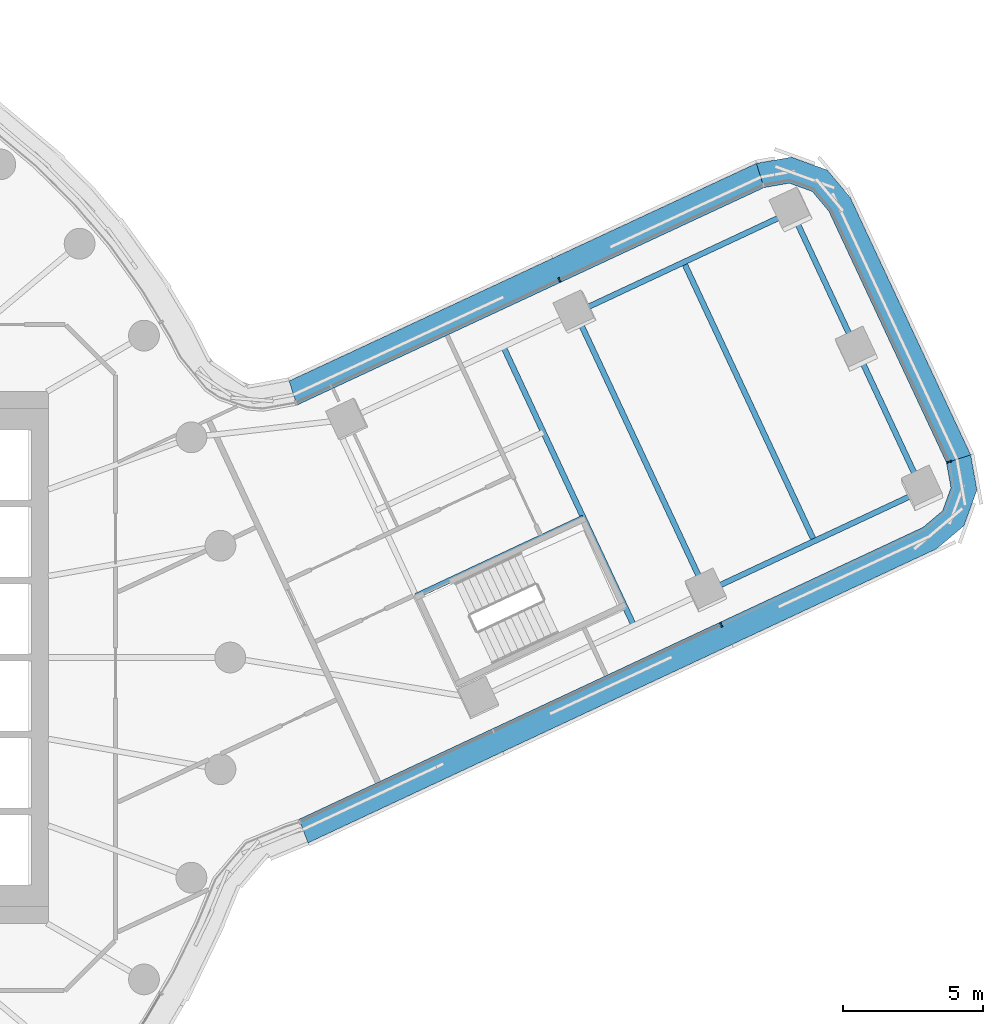
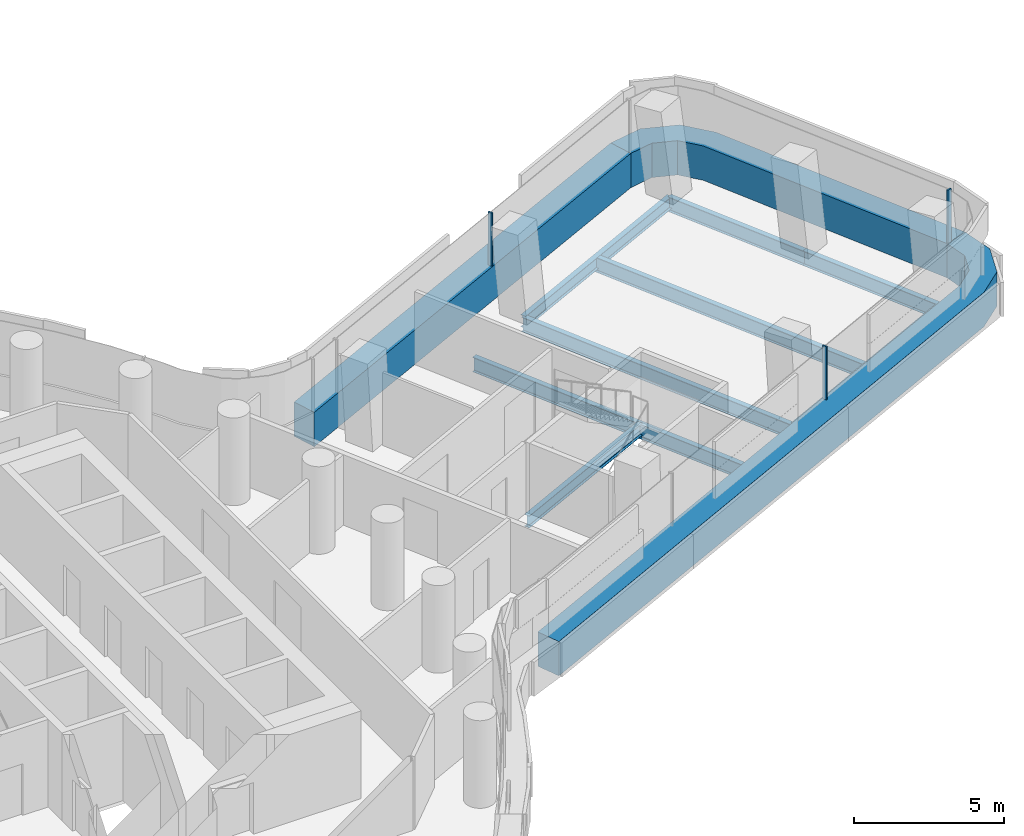
# One storey, part 13 of 36: 8 beams, 6 members, 3 elements without a shape of their own.
"""IFC4 building model written with IfcOpenShell, lengths in metres."""

from ifc_helpers import new_model, si_unit, direction, frame, origin, origin_2d, place, context, subcontext, project, spatial, polyline, rectangle, i_section, outline, extrude, material, layer, layer_set, material_profile, profile_set, type_object, element, aggregate, save


model = new_model("IFC4")

# Units and contexts
model_context = context("Model", 3, precision=1e-05, world=origin(), true_north=direction((0.0, 1.0)))
body_context = subcontext(model_context, "Body", "Model", "MODEL_VIEW")
ifc_project = project(units=[si_unit("LENGTHUNIT", "METRE"), si_unit("AREAUNIT", "SQUARE_METRE"), si_unit("VOLUMEUNIT", "CUBIC_METRE"), si_unit("PLANEANGLEUNIT", "RADIAN"), si_unit("MASSUNIT", "GRAM", prefix="KILO")], contexts=[model_context])

# Site, building, storey
site_placement = place(None, origin())
site = spatial("IfcSite", under=ifc_project, at=site_placement, CompositionType="ELEMENT")
building_placement = place(site_placement, origin())
building = spatial("IfcBuilding", under=site, at=building_placement, Name="Tamarind Cross Interchange Tower", CompositionType="ELEMENT")
storey_placement = place(building_placement, frame((0.0, 0.0, 124.75)))
storey = spatial("IfcBuildingStorey", under=building, at=storey_placement, Name="L30", CompositionType="ELEMENT", Elevation=124.75)

# Beams
ifc_material_1 = material(Name="Steel Q355B", Category="steel")
ifc_material_profile_1 = material_profile(ifc_material_1, i_section(OverallWidth=0.198974609375, OverallDepth=0.49609375, WebThickness=0.009033203125, FlangeThickness=0.013916015625, FilletRadius=0.012939453125, at=origin_2d()), Name="HN 496x199x9x14")
ifc_profile_set_1 = profile_set([ifc_material_profile_1], Name="Steel Q355B")
beam_type_1 = type_object("IfcBeamType", Name="Composite beam HN 496x199x9x14 Q355B", PredefinedType="BEAM", material=ifc_profile_set_1)
for number, where, z_axis, x_axis, name in (
    (1, (47.72998046875, 5.966796875, -0.387939453125), (-0.905762431873, -0.423785815014, 0.0), (0.423785815014, -0.905762431873, 0.0), "Beam E-edgeem5"),
    (2, (43.068115234375, 15.93017578125, -0.387939453125), (-0.90575145014, -0.423809285609, 0.0), (0.423809285609, -0.90575145014, 0.0), "Beam E-edgeep2"),
):
    element("IfcBeam", number, at=place(storey_placement, frame(where, z_axis=z_axis, x_axis=x_axis)), inside=storey, type_object=beam_type_1, Name=name, PredefinedType="BEAM", context=body_context, shape_type="SweptSolid", body=[
        extrude(i_section(OverallWidth=0.198974609375, OverallDepth=0.49609375, WebThickness=0.009033203125, FlangeThickness=0.013916015625, FilletRadius=0.012939453125, at=origin_2d()), origin(), (0.0, 0.0, 1.0), 8.53369140625),
    ])
beam_1_placement = place(storey_placement, frame((29.639892578125, 2.194580078125, -0.387939453125), z_axis=(0.905740382849, 0.423832937461, 0.0), x_axis=(-0.423832937461, 0.905740382849, 0.0)))
element("IfcBeam", 3, at=beam_1_placement, inside=storey, type_object=beam_type_1, Name="Beam E-tr1", PredefinedType="BEAM", context=body_context, shape_type="SweptSolid", body=[
    extrude(i_section(OverallWidth=0.198974609375, OverallDepth=0.49609375, WebThickness=0.009033203125, FlangeThickness=0.013916015625, FilletRadius=0.012939453125, at=origin_2d()), origin(), (0.0, 0.0, 1.0), 6.60009765625),
])
ifc_material_profile_2 = material_profile(ifc_material_1, i_section(OverallWidth=0.199951171875, OverallDepth=0.60009765625, WebThickness=0.010986328125, FlangeThickness=0.01708984375, FilletRadius=0.012939453125, at=origin_2d()), Name="HN 600x200x11x17")
ifc_profile_set_2 = profile_set([ifc_material_profile_2], Name="Steel Q355B")
beam_type_2 = type_object("IfcBeamType", Name="Composite beam HN 600x200x11x17 Q355B", PredefinedType="BEAM", material=ifc_profile_set_2)
for number, where, z_axis, x_axis, name in (
    (4, (47.72998046875, 5.966796875, -0.43994140625), (-0.423820799174, 0.90574606275, 0.0), (-0.90574606275, -0.423820799174, 0.0), "Beam E-tip0"),
    (5, (45.39892578125, 10.948486328125, -0.43994140625), (-0.423784382941, 0.905763101907, 0.0), (-0.905763101907, -0.423784382941, 0.0), "Beam E-tip1"),
):
    element("IfcBeam", number, at=place(storey_placement, frame(where, z_axis=z_axis, x_axis=x_axis)), inside=storey, type_object=beam_type_2, Name=name, PredefinedType="BEAM", context=body_context, shape_type="SweptSolid", body=[
        extrude(i_section(OverallWidth=0.199951171875, OverallDepth=0.60009765625, WebThickness=0.010986328125, FlangeThickness=0.01708984375, FilletRadius=0.012939453125, at=origin_2d()), origin(), (0.0, 0.0, 1.0), 5.5),
    ])
beam_2_placement = place(storey_placement, frame((37.4189453125, 1.142333984375, -0.43994140625), z_axis=(-0.423802591314, 0.905754582431, 0.0), x_axis=(-0.905754582431, -0.423802591314, 0.0)))
element("IfcBeam", 6, at=beam_2_placement, inside=storey, type_object=beam_type_2, Name="Beam E-x364", PredefinedType="BEAM", context=body_context, shape_type="SweptSolid", body=[
    extrude(i_section(OverallWidth=0.199951171875, OverallDepth=0.60009765625, WebThickness=0.010986328125, FlangeThickness=0.01708984375, FilletRadius=0.012939453125, at=origin_2d()), origin(), (0.0, 0.0, 1.0), 11.0),
])
beam_3_placement = place(storey_placement, frame((40.00048828125, 2.350341796875, -0.43994140625), z_axis=(-0.423811111045, 0.905750596, 0.0), x_axis=(-0.905750596, -0.423811111045, 0.0)))
element("IfcBeam", 7, at=beam_3_placement, inside=storey, type_object=beam_type_2, Name="Beam E-x393", PredefinedType="BEAM", context=body_context, shape_type="SweptSolid", body=[
    extrude(i_section(OverallWidth=0.199951171875, OverallDepth=0.60009765625, WebThickness=0.010986328125, FlangeThickness=0.01708984375, FilletRadius=0.012939453125, at=origin_2d()), origin(), (0.0, 0.0, 1.0), 10.999755859375),
])
beam_4_placement = place(storey_placement, frame((43.865234375, 4.158447265625, -0.43994140625), z_axis=(-0.423802591314, 0.905754582431, 0.0), x_axis=(-0.905754582431, -0.423802591314, 0.0)))
element("IfcBeam", 8, at=beam_4_placement, inside=storey, type_object=beam_type_2, Name="Beam E-x436", PredefinedType="BEAM", context=body_context, shape_type="SweptSolid", body=[
    extrude(i_section(OverallWidth=0.199951171875, OverallDepth=0.60009765625, WebThickness=0.010986328125, FlangeThickness=0.01708984375, FilletRadius=0.012939453125, at=origin_2d()), origin(), (0.0, 0.0, 1.0), 11.0),
])

# Curtain wall, member
ifc_material_2 = material(Name="Aluminium 6063-T6", Category="aluminium")
ifc_layer = layer(ifc_material_2, 0.159912109375)
ifc_layer_set = layer_set([ifc_layer], Name="Aluminium 6063-T6")
curtain_wall_type = type_object("IfcCurtainWallType", Name="Office curtain wall, 9.0 m bays", PredefinedType="NOTDEFINED", material=ifc_layer_set)
curtain_wall_1_placement = place(storey_placement, origin())
curtain_wall_1 = element("IfcCurtainWall", 9, at=curtain_wall_1_placement, inside=storey, type_object=curtain_wall_type, Name="CWS-L30-07", PredefinedType="NOTDEFINED")
ifc_material_3 = material(Name="Aluminium and insulated spandrel panel", Category="aluminium")
member_type_1 = type_object("IfcMemberType", Name="Floor-edge blade transom", PredefinedType="USERDEFINED", material=ifc_material_3)
member_1_placement = place(storey_placement, origin())
member_1 = element("IfcMember", 10, at=member_1_placement, type_object=member_type_1, Name="CWT-L30-07", ObjectType="TRANSOM", PredefinedType="USERDEFINED", context=body_context, shape_type="SweptSolid", body=[
    extrude(outline(polyline([(25.45361328125, -5.78125), (47.749755859375, 4.6513671875), (48.4501953125, 5.24072265625), (48.748291015625, 6.062744140625), (48.588134765625, 6.964111328125), (49.45361328125, 7.23828125), (49.676513671875, 5.98291015625), (49.214111328125, 4.707275390625), (48.238525390625, 3.886474609375), (25.781494140625, -6.621337890625), (25.45361328125, -5.78125)])), origin(), (0.0, 0.0, 1.0), 1.39990234375),
])

curtain_wall_2_placement = place(storey_placement, origin())
curtain_wall_2 = element("IfcCurtainWall", 11, at=curtain_wall_2_placement, inside=storey, type_object=curtain_wall_type, Name="CWS-L30-08", PredefinedType="NOTDEFINED")
member_2_placement = place(storey_placement, origin())
member_2 = element("IfcMember", 12, at=member_2_placement, type_object=member_type_1, Name="CWT-L30-08", ObjectType="TRANSOM", PredefinedType="USERDEFINED", context=body_context, shape_type="SweptSolid", body=[
    extrude(outline(polyline([(48.588134765625, 6.964111328125), (44.383544921875, 15.9501953125), (43.794189453125, 16.650634765625), (42.97216796875, 16.948486328125), (42.070556640625, 16.788330078125), (41.79736328125, 17.65380859375), (43.052001953125, 17.876953125), (44.32763671875, 17.41455078125), (45.1484375, 16.438720703125), (49.45361328125, 7.23828125), (48.588134765625, 6.964111328125)])), origin(), (0.0, 0.0, 1.0), 1.39990234375),
])

curtain_wall_3_placement = place(storey_placement, origin())
curtain_wall_3 = element("IfcCurtainWall", 13, at=curtain_wall_3_placement, inside=storey, type_object=curtain_wall_type, Name="CWS-L30-09", PredefinedType="NOTDEFINED")
member_3_placement = place(storey_placement, origin())
member_3 = element("IfcMember", 14, at=member_3_placement, type_object=member_type_1, Name="CWT-L30-09", ObjectType="TRANSOM", PredefinedType="USERDEFINED", context=body_context, shape_type="SweptSolid", body=[
    extrude(outline(polyline([(42.070556640625, 16.788330078125), (25.378662109375, 9.0146484375), (25.10400390625, 9.879638671875), (41.79736328125, 17.65380859375), (42.070556640625, 16.788330078125)])), origin(), (0.0, 0.0, 1.0), 1.39990234375),
])

# Member
ifc_material_profile_3 = material_profile(ifc_material_2, rectangle(XDim=0.06005859375, YDim=0.159912109375, at=origin_2d()), Name="Mullion CW1")
ifc_profile_set_3 = profile_set([ifc_material_profile_3], Name="Aluminium 6063-T6")
member_type_2 = type_object("IfcMemberType", Name="Mullion CW1", PredefinedType="MULLION", material=ifc_profile_set_3)
member_4_placement = place(storey_placement, frame((40.539306640625, 1.1669921875, 1.39990234375), z_axis=(0.0, 0.0, 1.0), x_axis=(0.905752325355, 0.423807415123, 0.0)))
member_4 = element("IfcMember", 15, at=member_4_placement, type_object=member_type_2, Name="CWM-L30-07-02", PredefinedType="MULLION", context=body_context, shape_type="SweptSolid", body=[
    extrude(rectangle(XDim=0.06005859375, YDim=0.159912109375, at=origin_2d()), origin(), (0.0, 0.0, 1.0), 2.170166015625),
])

aggregate(curtain_wall_1, [member_4, member_1])

member_5_placement = place(storey_placement, frame((48.684326171875, 6.99462890625, 1.39990234375), z_axis=(0.0, 0.0, 1.0), x_axis=(-0.301957281813, 0.953321456782, 0.0)))
member_5 = element("IfcMember", 16, at=member_5_placement, type_object=member_type_2, Name="CWM-L30-08-00", PredefinedType="MULLION", context=body_context, shape_type="SweptSolid", body=[
    extrude(rectangle(XDim=0.06005859375, YDim=0.159912109375, at=origin_2d()), origin(), (0.0, 0.0, 1.0), 2.170166015625),
])

aggregate(curtain_wall_2, [member_5, member_2])

member_6_placement = place(storey_placement, frame((34.757568359375, 13.492919921875, 1.39990234375), z_axis=(0.0, 0.0, 1.0), x_axis=(-0.906515024732, -0.422173554282, 0.0)))
member_6 = element("IfcMember", 17, at=member_6_placement, type_object=member_type_2, Name="CWM-L30-09-01", PredefinedType="MULLION", context=body_context, shape_type="SweptSolid", body=[
    extrude(rectangle(XDim=0.06005859375, YDim=0.159912109375, at=origin_2d()), origin(), (0.0, 0.0, 1.0), 2.170166015625),
])

aggregate(curtain_wall_3, [member_6, member_3])

save(model, "model.ifc")
